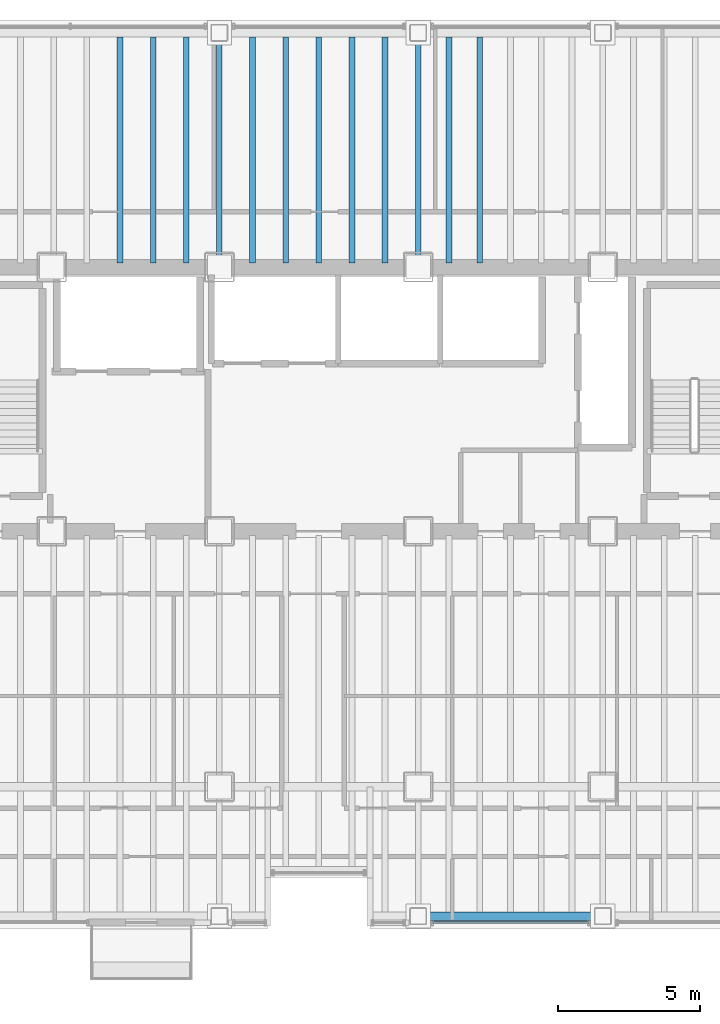
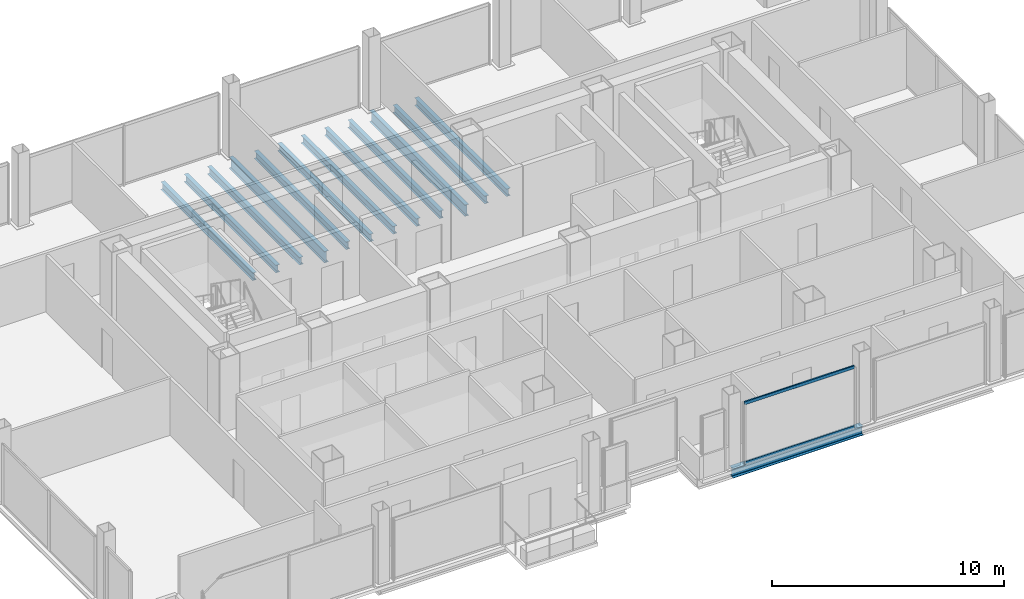
# One storey, part 8 of 21: 13 beams, 2 members, 1 element without a shape of its own.
"""IFC4 building model written with IfcOpenShell, lengths in metres."""

from ifc_helpers import new_model, si_unit, direction, frame, origin, origin_2d, place, context, subcontext, project, spatial, hollow_rectangle, i_section, extrude, material, material_profile, profile_set, type_object, element, aggregate, save


model = new_model("IFC4")

# Units and contexts
model_context = context("Model", 3, precision=1e-05, world=origin(), true_north=direction((0.0, 1.0)))
body_context = subcontext(model_context, "Body", "Model", "MODEL_VIEW")
ifc_project = project(units=[si_unit("LENGTHUNIT", "METRE"), si_unit("AREAUNIT", "SQUARE_METRE"), si_unit("VOLUMEUNIT", "CUBIC_METRE"), si_unit("PLANEANGLEUNIT", "RADIAN"), si_unit("MASSUNIT", "GRAM", prefix="KILO")], contexts=[model_context])

# Site, building, storey
site_placement = place(None, origin())
site = spatial("IfcSite", under=ifc_project, at=site_placement, CompositionType="ELEMENT")
building_placement = place(site_placement, origin())
building = spatial("IfcBuilding", under=site, at=building_placement, Name="Noeulbin Bourse Tower", CompositionType="ELEMENT")
storey_placement = place(building_placement, frame((0.0, 0.0, 46.0)))
storey = spatial("IfcBuildingStorey", under=building, at=storey_placement, Name="L11", CompositionType="ELEMENT", Elevation=46.0)

# Beams
ifc_material_1 = material(Name="Steel S355", Category="steel")
ifc_material_profile_1 = material_profile(ifc_material_1, i_section(OverallWidth=0.199951171875, OverallDepth=0.60009765625, WebThickness=0.010986328125, FlangeThickness=0.01708984375, FilletRadius=0.02197265625, at=origin_2d()), Name="H-600x200x11x17", Category="LoadBearing")
ifc_profile_set_1 = profile_set([ifc_material_profile_1], Name="Steel S355")
beam_type_1 = type_object("IfcBeamType", Name="BM-GRD-600", PredefinedType="USERDEFINED", material=ifc_profile_set_1)
for number, where, z_axis, x_axis, name in (
    (1, (24.0, 38.300048828125, -0.47998046875), (0.0, 1.0, 0.0), (-1.0, 0.0, 0.0), "Tower Primary Girder NS L11-2.4"),
    (2, (31.0, 38.300048828125, -0.47998046875), (0.0, 1.0, 0.0), (-1.0, 0.0, 0.0), "Tower Primary Girder NS L11-3.4"),
):
    element("IfcBeam", number, at=place(storey_placement, frame(where, z_axis=z_axis, x_axis=x_axis)), inside=storey, type_object=beam_type_1, Name=name, ObjectType="GIRDER", PredefinedType="USERDEFINED", context=body_context, shape_type="SweptSolid", body=[
        extrude(i_section(OverallWidth=0.199951171875, OverallDepth=0.60009765625, WebThickness=0.010986328125, FlangeThickness=0.01708984375, FilletRadius=0.02197265625, at=origin_2d()), origin(), (0.0, 0.0, 1.0), 8.25),
    ])
ifc_material_profile_2 = material_profile(ifc_material_1, i_section(OverallWidth=0.199951171875, OverallDepth=0.39990234375, WebThickness=0.008056640625, FlangeThickness=0.012939453125, FilletRadius=0.01611328125, at=origin_2d()), Name="H-400x200x8x13", Category="LoadBearing")
ifc_profile_set_2 = profile_set([ifc_material_profile_2], Name="Steel S355")
beam_type_2 = type_object("IfcBeamType", Name="BM-SEC-400", PredefinedType="BEAM", material=ifc_profile_set_2)
for number, where, z_axis, x_axis, name in (
    (3, (20.5, 38.449951171875, -0.3798828125), (0.0, 1.0, 0.0), (-1.0, 0.0, 0.0), "Tower Composite Joist L11-18"),
    (4, (21.666748046875, 38.449951171875, -0.3798828125), (0.0, 1.0, 0.0), (-1.0, 0.0, 0.0), "Tower Composite Joist L11-21"),
    (5, (22.833251953125, 38.449951171875, -0.3798828125), (0.0, 1.0, 0.0), (-1.0, 0.0, 0.0), "Tower Composite Joist L11-24"),
    (6, (25.166748046875, 38.449951171875, -0.3798828125), (0.0, 1.0, 0.0), (-1.0, 0.0, 0.0), "Tower Composite Joist L11-27"),
    (7, (26.333251953125, 38.449951171875, -0.3798828125), (0.0, 1.0, 0.0), (-1.0, 0.0, 0.0), "Tower Composite Joist L11-30"),
    (8, (27.5, 38.449951171875, -0.3798828125), (0.0, 1.0, 0.0), (-1.0, 0.0, 0.0), "Tower Composite Joist L11-33"),
    (9, (28.666748046875, 38.449951171875, -0.3798828125), (0.0, 1.0, 0.0), (-1.0, 0.0, 0.0), "Tower Composite Joist L11-36"),
    (10, (29.833251953125, 38.449951171875, -0.3798828125), (0.0, 1.0, 0.0), (-1.0, 0.0, 0.0), "Tower Composite Joist L11-39"),
    (11, (32.083251953125, 38.449951171875, -0.3798828125), (0.0, 1.0, 0.0), (-1.0, 0.0, 0.0), "Tower Composite Joist L11-42"),
    (12, (33.166748046875, 38.449951171875, -0.3798828125), (0.0, 1.0, 0.0), (-1.0, 0.0, 0.0), "Tower Composite Joist L11-45"),
):
    element("IfcBeam", number, at=place(storey_placement, frame(where, z_axis=z_axis, x_axis=x_axis)), inside=storey, type_object=beam_type_2, Name=name, PredefinedType="BEAM", context=body_context, shape_type="SweptSolid", body=[
        extrude(i_section(OverallWidth=0.199951171875, OverallDepth=0.39990234375, WebThickness=0.008056640625, FlangeThickness=0.012939453125, FilletRadius=0.01611328125, at=origin_2d()), origin(), (0.0, 0.0, 1.0), 7.949951171875),
    ])
ifc_material_profile_3 = material_profile(ifc_material_1, i_section(OverallWidth=0.300048828125, OverallDepth=0.488037109375, WebThickness=0.010986328125, FlangeThickness=0.01806640625, FilletRadius=0.02197265625, at=origin_2d()), Name="H-488x300x11x18", Category="LoadBearing")
ifc_profile_set_3 = profile_set([ifc_material_profile_3], Name="Steel S355")
beam_type_3 = type_object("IfcBeamType", Name="BM-SPN-488", PredefinedType="SPANDREL", material=ifc_profile_set_3)
beam_placement = place(storey_placement, frame((31.0, 15.449951171875, -0.424072265625), z_axis=(1.0, 0.0, 0.0), x_axis=(0.0, 1.0, 0.0)))
element("IfcBeam", 13, at=beam_placement, inside=storey, type_object=beam_type_3, Name="South Spandrel L11-3", PredefinedType="SPANDREL", context=body_context, shape_type="SweptSolid", body=[
    extrude(i_section(OverallWidth=0.300048828125, OverallDepth=0.488037109375, WebThickness=0.010986328125, FlangeThickness=0.01806640625, FilletRadius=0.02197265625, at=origin_2d()), origin(), (0.0, 0.0, 1.0), 6.5),
])

# Curtain wall, members
ifc_material_2 = material(Name="Dark Solar-Control Double Glazing", Category="glass")
curtain_wall_type = type_object("IfcCurtainWallType", Name="CW-SYS-2", PredefinedType="NOTDEFINED", material=ifc_material_2)
curtain_wall_placement = place(storey_placement, origin())
curtain_wall = element("IfcCurtainWall", 14, at=curtain_wall_placement, inside=storey, type_object=curtain_wall_type, Name="Unitised Curtain Wall CW-L11-S3-S2", PredefinedType="NOTDEFINED")
ifc_material_3 = material(Name="Anodised Aluminium 6063-T6", Category="aluminium")
ifc_material_profile_4 = material_profile(ifc_material_3, hollow_rectangle(XDim=0.074951171875, YDim=0.159912109375, WallThickness=0.0048828125, InnerFilletRadius=0.00244140625, OuterFilletRadius=0.0048828125, at=origin_2d()), Name="ALU-TRAN-75x160x5", Category="LoadBearing")
ifc_profile_set_4 = profile_set([ifc_material_profile_4], Name="Anodised Aluminium 6063-T6")
member_type = type_object("IfcMemberType", Name="CW-SYS-2-TRN", PredefinedType="USERDEFINED", material=ifc_profile_set_4)
member_1_placement = place(storey_placement, frame((31.510009765625, 15.219970703125, 0.010009765625), z_axis=(1.0, 0.0, 0.0), x_axis=(0.0, 1.0, 0.0)))
member_1 = element("IfcMember", 15, at=member_1_placement, type_object=member_type, Name="Curtain Wall Transom CW-L11-S3-S2-T00", ObjectType="TRANSOM", PredefinedType="USERDEFINED", context=body_context, shape_type="SweptSolid", body=[
    extrude(hollow_rectangle(XDim=0.074951171875, YDim=0.159912109375, WallThickness=0.0048828125, InnerFilletRadius=0.00244140625, OuterFilletRadius=0.0048828125, at=origin_2d()), origin(), (0.0, 0.0, 1.0), 5.47998046875),
])
member_2_placement = place(storey_placement, frame((31.510009765625, 15.219970703125, 3.169921875), z_axis=(1.0, 0.0, 0.0), x_axis=(0.0, 1.0, 0.0)))
member_2 = element("IfcMember", 16, at=member_2_placement, type_object=member_type, Name="Curtain Wall Transom CW-L11-S3-S2-T01", ObjectType="TRANSOM", PredefinedType="USERDEFINED", context=body_context, shape_type="SweptSolid", body=[
    extrude(hollow_rectangle(XDim=0.074951171875, YDim=0.159912109375, WallThickness=0.0048828125, InnerFilletRadius=0.00244140625, OuterFilletRadius=0.0048828125, at=origin_2d()), origin(), (0.0, 0.0, 1.0), 5.47998046875),
])
aggregate(curtain_wall, [member_1, member_2])

save(model, "model.ifc")
